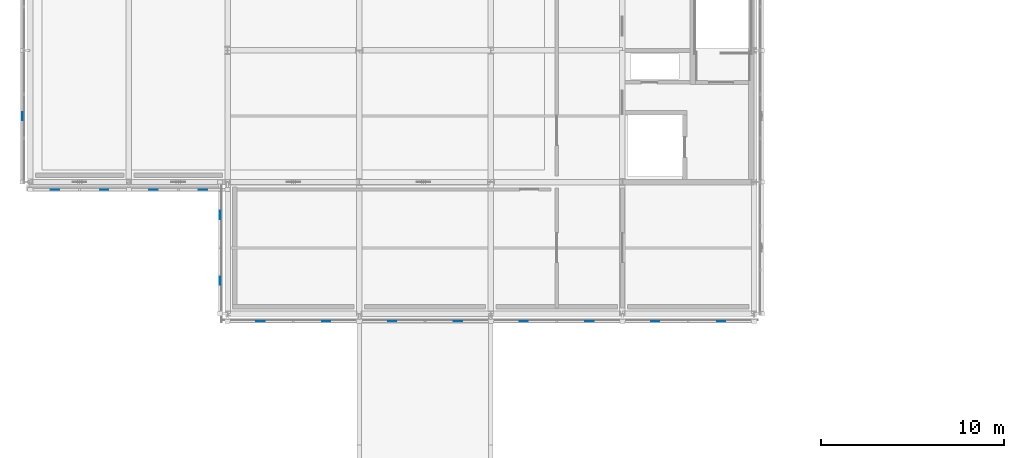
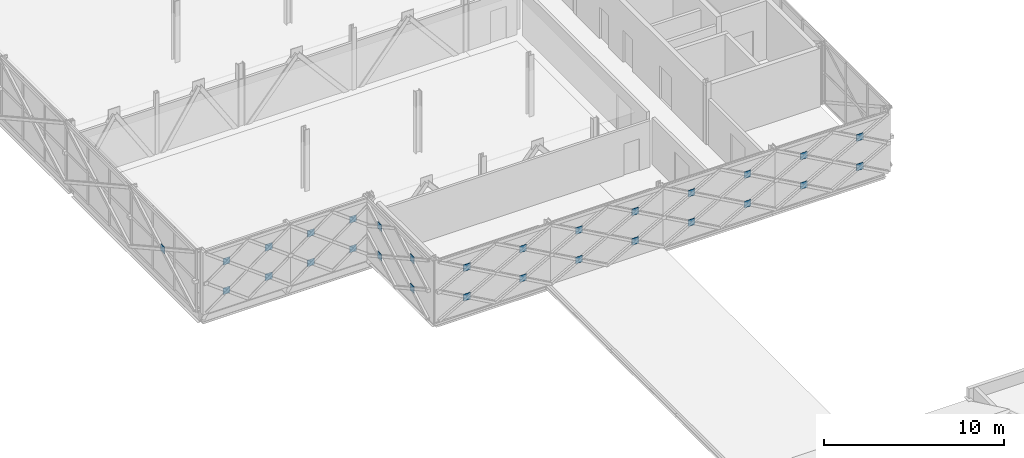
# One storey, part 73 of 103: 29 plates.
"""IFC4 building model written with IfcOpenShell, lengths in metres."""

from ifc_helpers import new_model, si_unit, direction, frame, origin, origin_2d, place, context, subcontext, project, spatial, rectangle, extrude, material, layer, layer_set, type_object, element, save


model = new_model("IFC4")

# Units and contexts
model_context = context("Model", 3, precision=1e-05, world=origin(), true_north=direction((0.0, 1.0)))
body_context = subcontext(model_context, "Body", "Model", "MODEL_VIEW")
ifc_project = project(units=[si_unit("LENGTHUNIT", "METRE"), si_unit("AREAUNIT", "SQUARE_METRE"), si_unit("VOLUMEUNIT", "CUBIC_METRE"), si_unit("PLANEANGLEUNIT", "RADIAN"), si_unit("MASSUNIT", "GRAM", prefix="KILO")], contexts=[model_context])

# Site, building, storey
site_placement = place(None, origin())
site = spatial("IfcSite", under=ifc_project, at=site_placement, CompositionType="ELEMENT")
building_placement = place(site_placement, origin())
building = spatial("IfcBuilding", under=site, at=building_placement, Name="Zlatovets Crest Museum", CompositionType="ELEMENT")
storey_placement = place(building_placement, frame((0.0, 0.0, 12.89990234375)))
storey = spatial("IfcBuildingStorey", under=building, at=storey_placement, Name="L03", CompositionType="ELEMENT", Elevation=12.89990234375)

# Plates
ifc_material = material(Name="Structural steel S355J2", Category="steel")
ifc_layer = layer(ifc_material, 0.02001953125)
ifc_layer_set = layer_set([ifc_layer], Name="Structural steel S355J2")
plate_type = type_object("IfcPlateType", Name="Gusset_GP-04", PredefinedType="USERDEFINED", material=ifc_layer_set)
for number, where, z_axis, x_axis, name in (
    (1, (9.0, 49.97998046875, 0.875), (0.0, 0.0, 1.0), (1.0, 0.0, 0.0), "X-Brace Crossing Node Gusset Plate GP-04"),
    (2, (12.60009765625, 49.97998046875, 0.875), (0.0, 0.0, 1.0), (1.0, 0.0, 0.0), "X-Brace Crossing Node Gusset Plate GP-04"),
    (3, (9.0, 49.97998046875, 2.875), (0.0, 0.0, 1.0), (1.0, 0.0, 0.0), "X-Brace Crossing Node Gusset Plate GP-04"),
    (4, (12.60009765625, 49.97998046875, 2.875), (0.0, 0.0, 1.0), (1.0, 0.0, 0.0), "X-Brace Crossing Node Gusset Plate GP-04"),
    (5, (16.199951171875, 49.97998046875, 0.875), (0.0, 0.0, 1.0), (1.0, 0.0, 0.0), "X-Brace Crossing Node Gusset Plate GP-04"),
    (6, (19.800048828125, 49.97998046875, 0.875), (0.0, 0.0, 1.0), (1.0, 0.0, 0.0), "X-Brace Crossing Node Gusset Plate GP-04"),
    (7, (16.199951171875, 49.97998046875, 2.875), (0.0, 0.0, 1.0), (1.0, 0.0, 0.0), "X-Brace Crossing Node Gusset Plate GP-04"),
    (8, (19.800048828125, 49.97998046875, 2.875), (0.0, 0.0, 1.0), (1.0, 0.0, 0.0), "X-Brace Crossing Node Gusset Plate GP-04"),
    (9, (23.39990234375, 49.97998046875, 0.875), (0.0, 0.0, 1.0), (1.0, 0.0, 0.0), "X-Brace Crossing Node Gusset Plate GP-04"),
    (10, (27.0, 49.97998046875, 0.875), (0.0, 0.0, 1.0), (1.0, 0.0, 0.0), "X-Brace Crossing Node Gusset Plate GP-04"),
    (11, (23.39990234375, 49.97998046875, 2.875), (0.0, 0.0, 1.0), (1.0, 0.0, 0.0), "X-Brace Crossing Node Gusset Plate GP-04"),
    (12, (27.0, 49.97998046875, 2.875), (0.0, 0.0, 1.0), (1.0, 0.0, 0.0), "X-Brace Crossing Node Gusset Plate GP-04"),
    (13, (30.60009765625, 49.97998046875, 0.875), (0.0, 0.0, 1.0), (1.0, 0.0, 0.0), "X-Brace Crossing Node Gusset Plate GP-04"),
    (14, (34.199951171875, 49.97998046875, 0.875), (0.0, 0.0, 1.0), (1.0, 0.0, 0.0), "X-Brace Crossing Node Gusset Plate GP-04"),
    (15, (30.60009765625, 49.97998046875, 2.875), (0.0, 0.0, 1.0), (1.0, 0.0, 0.0), "X-Brace Crossing Node Gusset Plate GP-04"),
    (16, (34.199951171875, 49.97998046875, 2.875), (0.0, 0.0, 1.0), (1.0, 0.0, 0.0), "X-Brace Crossing Node Gusset Plate GP-04"),
):
    element("IfcPlate", number, at=place(storey_placement, frame(where, z_axis=z_axis, x_axis=x_axis)), inside=storey, type_object=plate_type, Name=name, ObjectType="GUSSET", PredefinedType="USERDEFINED", context=body_context, shape_type="SweptSolid", body=[
        extrude(rectangle(XDim=0.449951171875, YDim=0.02001953125, at=origin_2d()), origin(), (0.0, 0.0, 1.0), 0.449951171875),
    ])
plate_placement = place(storey_placement, frame((-4.02001953125, 61.199951171875, 1.875), z_axis=(0.0, 0.0, 1.0), x_axis=(1.0, 0.0, 0.0)))
element("IfcPlate", 17, at=plate_placement, inside=storey, type_object=plate_type, Name="X-Brace Crossing Node Gusset Plate GP-04", ObjectType="GUSSET", PredefinedType="USERDEFINED", context=body_context, shape_type="SweptSolid", body=[
    extrude(rectangle(XDim=0.02001953125, YDim=0.449951171875, at=origin_2d()), origin(), (0.0, 0.0, 1.0), 0.449951171875),
])
for number, where, z_axis, x_axis, name in (
    (18, (-2.25, 57.179931640625, 0.875), (0.0, 0.0, 1.0), (1.0, 0.0, 0.0), "X-Brace Crossing Node Gusset Plate GP-04"),
    (19, (0.449951171875, 57.179931640625, 0.875), (0.0, 0.0, 1.0), (1.0, 0.0, 0.0), "X-Brace Crossing Node Gusset Plate GP-04"),
    (20, (-2.25, 57.179931640625, 2.875), (0.0, 0.0, 1.0), (1.0, 0.0, 0.0), "X-Brace Crossing Node Gusset Plate GP-04"),
    (21, (0.449951171875, 57.179931640625, 2.875), (0.0, 0.0, 1.0), (1.0, 0.0, 0.0), "X-Brace Crossing Node Gusset Plate GP-04"),
    (22, (3.14990234375, 57.179931640625, 0.875), (0.0, 0.0, 1.0), (1.0, 0.0, 0.0), "X-Brace Crossing Node Gusset Plate GP-04"),
    (23, (5.85009765625, 57.179931640625, 0.875), (0.0, 0.0, 1.0), (1.0, 0.0, 0.0), "X-Brace Crossing Node Gusset Plate GP-04"),
    (24, (3.14990234375, 57.179931640625, 2.875), (0.0, 0.0, 1.0), (1.0, 0.0, 0.0), "X-Brace Crossing Node Gusset Plate GP-04"),
    (25, (5.85009765625, 57.179931640625, 2.875), (0.0, 0.0, 1.0), (1.0, 0.0, 0.0), "X-Brace Crossing Node Gusset Plate GP-04"),
):
    element("IfcPlate", number, at=place(storey_placement, frame(where, z_axis=z_axis, x_axis=x_axis)), inside=storey, type_object=plate_type, Name=name, ObjectType="GUSSET", PredefinedType="USERDEFINED", context=body_context, shape_type="SweptSolid", body=[
        extrude(rectangle(XDim=0.449951171875, YDim=0.02001953125, at=origin_2d()), origin(), (0.0, 0.0, 1.0), 0.449951171875),
    ])
for number, where, z_axis, x_axis, name in (
    (26, (6.780029296875, 55.800048828125, 0.875), (0.0, 0.0, 1.0), (1.0, 0.0, 0.0), "X-Brace Crossing Node Gusset Plate GP-04"),
    (27, (6.780029296875, 52.199951171875, 0.875), (0.0, 0.0, 1.0), (1.0, 0.0, 0.0), "X-Brace Crossing Node Gusset Plate GP-04"),
    (28, (6.780029296875, 55.800048828125, 2.875), (0.0, 0.0, 1.0), (1.0, 0.0, 0.0), "X-Brace Crossing Node Gusset Plate GP-04"),
    (29, (6.780029296875, 52.199951171875, 2.875), (0.0, 0.0, 1.0), (1.0, 0.0, 0.0), "X-Brace Crossing Node Gusset Plate GP-04"),
):
    element("IfcPlate", number, at=place(storey_placement, frame(where, z_axis=z_axis, x_axis=x_axis)), inside=storey, type_object=plate_type, Name=name, ObjectType="GUSSET", PredefinedType="USERDEFINED", context=body_context, shape_type="SweptSolid", body=[
        extrude(rectangle(XDim=0.02001953125, YDim=0.449951171875, at=origin_2d()), origin(), (0.0, 0.0, 1.0), 0.449951171875),
    ])

save(model, "model.ifc")
